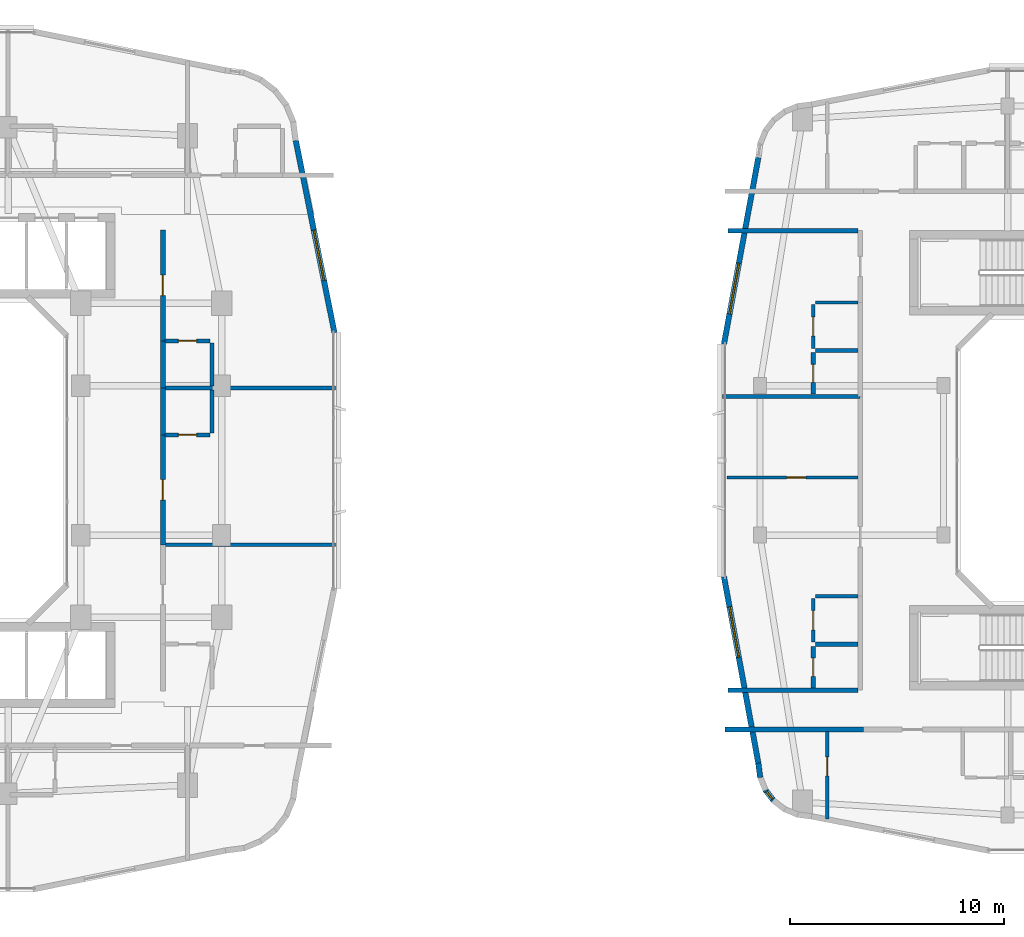
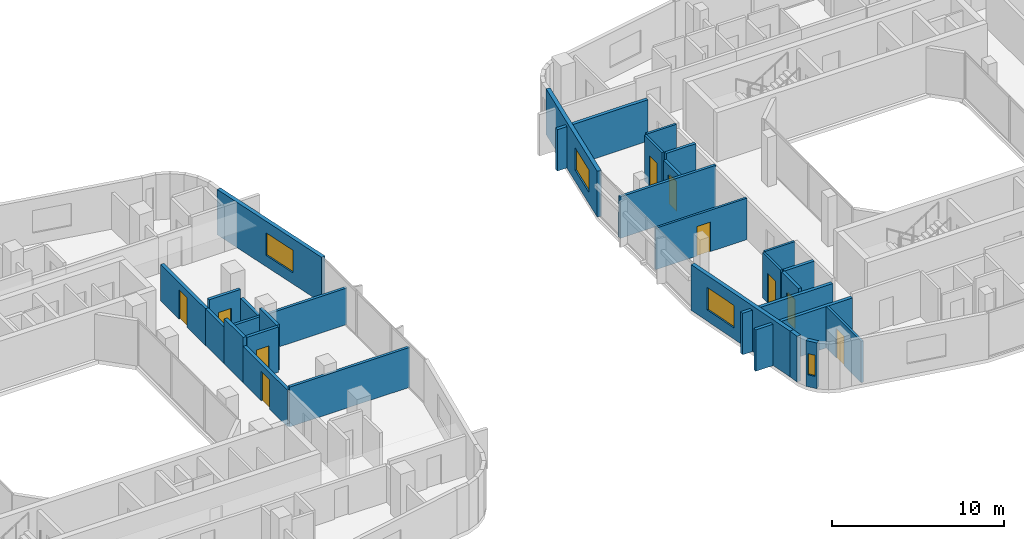
# One storey, part 15 of 26: 29 walls, 10 doors, 4 windows, 14 openings.
"""IFC4 building model written with IfcOpenShell, lengths in metres."""

from ifc_helpers import new_model, si_unit, derived_unit, direction, frame, frame_2d, origin, place, context, subcontext, project, spatial, rectangle, extrude, material, layer, layer_set, type_object, element, fill, save


model = new_model("IFC4")

# Units and contexts
model_context = context("Model", 3, precision=1e-05, world=origin(), true_north=direction((0.0, 1.0)))
body_context = subcontext(model_context, "Body", "Model", "MODEL_VIEW")
ifc_project = project(units=[si_unit("LENGTHUNIT", "METRE"), si_unit("AREAUNIT", "SQUARE_METRE"), si_unit("VOLUMEUNIT", "CUBIC_METRE"), si_unit("PLANEANGLEUNIT", "RADIAN"), si_unit("MASSUNIT", "GRAM", prefix="KILO"), derived_unit("THERMALTRANSMITTANCEUNIT", [(si_unit("POWERUNIT", "WATT"), 1), (si_unit("LENGTHUNIT", "METRE"), -2), (si_unit("THERMODYNAMICTEMPERATUREUNIT", "KELVIN"), -1)])], contexts=[model_context])

# Site, building, storey
site_placement = place(None, origin())
site = spatial("IfcSite", under=ifc_project, at=site_placement, CompositionType="ELEMENT")
building_placement = place(site_placement, origin())
building = spatial("IfcBuilding", under=site, at=building_placement, Name="Kivonza Crest Hotel", CompositionType="ELEMENT")
storey_placement = place(building_placement, frame((0.0, 0.0, 98.5)))
storey = spatial("IfcBuildingStorey", under=building, at=storey_placement, Name="L26", CompositionType="ELEMENT", Elevation=98.5)

# Walls
ifc_material_1 = material(Name="High-density acoustic masonry inter-tenancy wall", Category="masonry")
ifc_layer_1 = layer(ifc_material_1, 0.179931640625)
ifc_layer_set_1 = layer_set([ifc_layer_1], Name="High-density acoustic masonry inter-tenancy wall")
wall_type_1 = type_object("IfcWallType", Name="WL-ACOU-180", PredefinedType="SOLIDWALL", material=ifc_layer_set_1)
wall_1_placement = place(storey_placement, frame((33.050048828125, 21.049072265625, 0.0), z_axis=(0.0, 0.0, 1.0), x_axis=(1.0, 0.0, 0.0)))
element("IfcWall", 1, at=wall_1_placement, inside=storey, type_object=wall_type_1, Name="L26 interior partition WA-L26-T1E-DIV1", PredefinedType="SOLIDWALL", context=body_context, shape_type="SweptSolid", body=[
    extrude(rectangle(XDim=8.08984375, YDim=0.179931640625, at=frame_2d((4.044921875, 0.0))), origin(), (0.0, 0.0, 1.0), 2.8349609375),
])
wall_2_placement = place(storey_placement, frame((33.050048828125, 28.39306640625, 0.0), z_axis=(0.0, 0.0, 1.0), x_axis=(1.0, 0.0, 0.0)))
element("IfcWall", 2, at=wall_2_placement, inside=storey, type_object=wall_type_1, Name="L26 interior partition WA-L26-T1E-DIV2", PredefinedType="SOLIDWALL", context=body_context, shape_type="SweptSolid", body=[
    extrude(rectangle(XDim=8.08984375, YDim=0.179931640625, at=frame_2d((4.044921875, 0.0))), origin(), (0.0, 0.0, 1.0), 2.594970703125),
])
wall_3_placement = place(storey_placement, frame((59.260009765625, 28.0, 0.0), z_axis=(0.0, 0.0, 1.0), x_axis=(1.0, 0.0, 0.0)))
element("IfcWall", 3, at=wall_3_placement, inside=storey, type_object=wall_type_1, Name="L26 interior partition WA-L26-T2W-DIV1", PredefinedType="SOLIDWALL", context=body_context, shape_type="SweptSolid", body=[
    extrude(rectangle(XDim=6.43994140625, YDim=0.179931640625, at=frame_2d((3.219970703125, 0.0))), origin(), (0.0, 0.0, 1.0), 2.945068359375),
])
ifc_material_2 = material(Name="Autoclaved aerated concrete blockwork", Category="masonry")
ifc_layer_2 = layer(ifc_material_2, 0.219970703125)
ifc_layer_set_2 = layer_set([ifc_layer_2], Name="Autoclaved aerated concrete blockwork")
wall_type_2 = type_object("IfcWallType", Name="WL-ACOU-220", PredefinedType="SOLIDWALL", material=ifc_layer_set_2)
wall_4_placement = place(storey_placement, frame((33.050048828125, 26.193115234375, 0.0), z_axis=(0.0, 0.0, 1.0), x_axis=(0.0, 1.0, 0.0)))
element("IfcWall", 4, at=wall_4_placement, inside=storey, type_object=wall_type_2, Name="L26 interior partition WA-L26-E11-BCORR", PredefinedType="SOLIDWALL", context=body_context, shape_type="SweptSolid", body=[
    extrude(rectangle(XDim=2.199951171875, YDim=0.219970703125, at=frame_2d((1.10009765625, 0.0))), origin(), (0.0, 0.0, 1.0), 3.219970703125),
])

# Wall, opening, door
wall_5_placement = place(storey_placement, frame((33.050048828125, 21.049072265625, 0.0), z_axis=(0.0, 0.0, 1.0), x_axis=(0.0, 1.0, 0.0)))
wall_5 = element("IfcWall", 5, at=wall_5_placement, inside=storey, type_object=wall_type_2, Name="L26 interior partition WA-L26-E11-MCORR", PredefinedType="SOLIDWALL", context=body_context, shape_type="SweptSolid", body=[
    extrude(rectangle(XDim=5.14404296875, YDim=0.219970703125, at=frame_2d((2.572021484375, 0.0))), origin(), (0.0, 0.0, 1.0), 2.594970703125),
])
opening_1_placement = place(wall_5_placement, frame((2.096923828125, 0.0, 0.0)))
opening_1 = element("IfcOpeningElement", 6, at=opening_1_placement, cuts=wall_5, Name="Opening DU-60", PredefinedType="OPENING", context=body_context, shape_type="SweptSolid", body=[
    extrude(rectangle(XDim=0.949951171875, YDim=2.10009765625, at=frame_2d((0.47509765625, 1.050048828125))), frame((0.0, 0.1201171875, 0.0), z_axis=(0.0, -1.0, 0.0), x_axis=(1.0, 0.0, 0.0)), (0.0, 0.0, 1.0), 0.239990234375),
])
ifc_material_3 = material(Name="Hardwood timber oak", Category="wood")
door_type_1 = type_object("IfcDoorType", Name="DR-UNIT-950", OperationType="NOTDEFINED", PredefinedType="DOOR", material=ifc_material_3)
door_1_placement = place(opening_1_placement, frame((0.949951171875, 0.0, 0.0), z_axis=(0.0, 0.0, 1.0), x_axis=(-1.0, 0.0, 0.0)))
door_1 = element("IfcDoor", 7, at=door_1_placement, inside=storey, type_object=door_type_1, Name="L26 E11 guest unit entrance fire door", OperationType="SINGLE_SWING_LEFT", OverallHeight=2.10009765625, OverallWidth=0.949951171875, PredefinedType="DOOR", context=body_context, shape_type="SweptSolid", body=[
    extrude(rectangle(XDim=0.949951171875, YDim=2.10009765625, at=frame_2d((0.47509765625, 1.050048828125))), frame((0.0, 0.02490234375, 0.0), z_axis=(0.0, -1.0, 0.0), x_axis=(1.0, 0.0, 0.0)), (0.0, 0.0, 1.0), 0.050048828125),
])
fill(opening_1, door_1)

# Wall
wall_6_placement = place(storey_placement, frame((33.050048828125, 28.39306640625, 0.0), z_axis=(0.0, 0.0, 1.0), x_axis=(0.0, 1.0, 0.0)))
element("IfcWall", 8, at=wall_6_placement, inside=storey, type_object=wall_type_2, Name="L26 interior partition WA-L26-E12-BCORR", PredefinedType="SOLIDWALL", context=body_context, shape_type="SweptSolid", body=[
    extrude(rectangle(XDim=2.199951171875, YDim=0.219970703125, at=frame_2d((1.10009765625, 0.0))), origin(), (0.0, 0.0, 1.0), 2.594970703125),
])

# Wall, opening, door
wall_7_placement = place(storey_placement, frame((33.050048828125, 30.593017578125, 0.0), z_axis=(0.0, 0.0, 1.0), x_axis=(0.0, 1.0, 0.0)))
wall_7 = element("IfcWall", 9, at=wall_7_placement, inside=storey, type_object=wall_type_2, Name="L26 interior partition WA-L26-E12-MCORR", PredefinedType="SOLIDWALL", context=body_context, shape_type="SweptSolid", body=[
    extrude(rectangle(XDim=5.20703125, YDim=0.219970703125, at=frame_2d((2.603515625, 0.0))), origin(), (0.0, 0.0, 1.0), 2.594970703125),
])
opening_2_placement = place(wall_7_placement, frame((2.1279296875, 0.0, 0.0)))
opening_2 = element("IfcOpeningElement", 10, at=opening_2_placement, cuts=wall_7, Name="Opening DU-60", PredefinedType="OPENING", context=body_context, shape_type="SweptSolid", body=[
    extrude(rectangle(XDim=0.949951171875, YDim=2.10009765625, at=frame_2d((0.47509765625, 1.050048828125))), frame((0.0, 0.1201171875, 0.0), z_axis=(0.0, -1.0, 0.0), x_axis=(1.0, 0.0, 0.0)), (0.0, 0.0, 1.0), 0.239990234375),
])
door_2_placement = place(opening_2_placement, frame((0.949951171875, 0.0, 0.0), z_axis=(0.0, 0.0, 1.0), x_axis=(-1.0, 0.0, 0.0)))
door_2 = element("IfcDoor", 11, at=door_2_placement, inside=storey, type_object=door_type_1, Name="L26 E12 guest unit entrance fire door", OperationType="SINGLE_SWING_RIGHT", OverallHeight=2.10009765625, OverallWidth=0.949951171875, PredefinedType="DOOR", context=body_context, shape_type="SweptSolid", body=[
    extrude(rectangle(XDim=0.949951171875, YDim=2.10009765625, at=frame_2d((0.47509765625, 1.050048828125))), frame((0.0, 0.02490234375, 0.0), z_axis=(0.0, -1.0, 0.0), x_axis=(1.0, 0.0, 0.0)), (0.0, 0.0, 1.0), 0.050048828125),
])
fill(opening_2, door_2)

# Walls
wall_8_placement = place(storey_placement, frame((59.360107421875, 12.39990234375, 0.0), z_axis=(0.0, 0.0, 1.0), x_axis=(1.0, 0.0, 0.0)))
element("IfcWall", 12, at=wall_8_placement, inside=storey, type_object=wall_type_2, Name="L26 interior partition WA-L26-A04-LCORR", PredefinedType="SOLIDWALL", context=body_context, shape_type="SweptSolid", body=[
    extrude(rectangle(XDim=6.489990234375, YDim=0.219970703125, at=frame_2d((3.2451171875, 0.0))), origin(), (0.0, 0.0, 1.0), 2.945068359375),
])
for number, where, z_axis, x_axis, name in (
    (13, (59.52001953125, 14.239990234375, 0.0), (0.0, 0.0, 1.0), (1.0, 0.0, 0.0), "L26 interior partition WA-L26-T2W-ENDS"),
    (14, (59.52001953125, 35.760009765625, 0.0), (0.0, 0.0, 1.0), (1.0, 0.0, 0.0), "L26 interior partition WA-L26-T2W-ENDN"),
):
    element("IfcWall", number, at=place(storey_placement, frame(where, z_axis=z_axis, x_axis=x_axis)), inside=storey, type_object=wall_type_2, Name=name, PredefinedType="SOLIDWALL", context=body_context, shape_type="SweptSolid", body=[
        extrude(rectangle(XDim=6.080078125, YDim=0.219970703125, at=frame_2d((3.0400390625, 0.0))), origin(), (0.0, 0.0, 1.0), 2.945068359375),
    ])

# Wall, opening, window
ifc_material_4 = material(Name="Precast concrete C40/50", Category="concrete")
ifc_layer_3 = layer(ifc_material_4, 0.260009765625)
ifc_layer_set_3 = layer_set([ifc_layer_3], Name="Precast concrete C40/50")
wall_type_3 = type_object("IfcWallType", Name="WL-EXT-260", PredefinedType="STANDARD", material=ifc_layer_set_3)
wall_9_placement = place(storey_placement, frame((41.083984375, 30.97998046875, 0.0), z_axis=(0.0, 0.0, 1.0), x_axis=(-0.197435082048, 0.980315963543, 0.0)))
wall_9 = element("IfcWall", 15, at=wall_9_placement, inside=storey, type_object=wall_type_3, Name="L26 T1 exterior insulated wall 18", PredefinedType="STANDARD", context=body_context, shape_type="SweptSolid", body=[
    extrude(rectangle(XDim=9.1826171875, YDim=0.260009765625, at=frame_2d((4.59130859375, 0.0))), origin(), (0.0, 0.0, 1.0), 3.219970703125),
])
opening_3_placement = place(wall_9_placement, frame((2.4970703125, 0.0, 0.800048828125)))
opening_3 = element("IfcOpeningElement", 16, at=opening_3_placement, cuts=wall_9, Name="Opening WN-05", PredefinedType="OPENING", context=body_context, shape_type="SweptSolid", body=[
    extrude(rectangle(XDim=2.39990234375, YDim=1.60009765625, at=frame_2d((1.199951171875, 0.800048828125))), frame((0.0, 0.14013671875, 0.0), z_axis=(0.0, -1.0, 0.0), x_axis=(1.0, 0.0, 0.0)), (0.0, 0.0, 1.0), 0.280029296875),
])
ifc_material_5 = material(Name="Thermally broken bronze aluminium and low-E double glazing", Category="aluminium")
window_type_1 = type_object("IfcWindowType", Name="WN-240x160", PartitioningType="TRIPLE_PANEL_VERTICAL", PredefinedType="WINDOW", material=ifc_material_5)
window_1_placement = place(opening_3_placement, origin())
window_1 = element("IfcWindow", 17, at=window_1_placement, inside=storey, type_object=window_type_1, Name="L26 T1 facade window 18", OverallHeight=1.60009765625, OverallWidth=2.39990234375, PartitioningType="SINGLE_PANEL", PredefinedType="WINDOW", context=body_context, shape_type="SweptSolid", body=[
    extrude(rectangle(XDim=2.39990234375, YDim=1.60009765625, at=frame_2d((1.199951171875, 0.800048828125))), frame((0.0, 0.030029296875, 0.0), z_axis=(0.0, -1.0, 0.0), x_axis=(1.0, 0.0, 0.0)), (0.0, 0.0, 1.0), 0.06005859375),
])
fill(opening_3, window_1)

# Wall
wall_10_placement = place(storey_placement, frame((60.927978515625, 10.824951171875, 0.0), z_axis=(0.0, 0.0, 1.0), x_axis=(0.131667498923, -0.991293937098, 0.0)))
element("IfcWall", 18, at=wall_10_placement, inside=storey, type_object=wall_type_3, Name="L26 T2 exterior insulated wall 1", PredefinedType="STANDARD", context=body_context, shape_type="SweptSolid", body=[
    extrude(rectangle(XDim=0.6767578125, YDim=0.260009765625, at=frame_2d((0.33837890625, 0.0))), origin(), (0.0, 0.0, 1.0), 3.25),
])

# Wall, opening, window
wall_11_placement = place(storey_placement, frame((61.236083984375, 9.59912109375, 0.0), z_axis=(0.0, 0.0, 1.0), x_axis=(0.609472651958, -0.792807092876, 0.0)))
wall_11 = element("IfcWall", 19, at=wall_11_placement, inside=storey, type_object=wall_type_3, Name="L26 T2 exterior insulated wall 3", PredefinedType="STANDARD", context=body_context, shape_type="SweptSolid", body=[
    extrude(rectangle(XDim=0.69384765625, YDim=0.260009765625, at=frame_2d((0.346923828125, 0.0))), origin(), (0.0, 0.0, 1.0), 3.25),
])
opening_4_placement = place(wall_11_placement, frame((0.1220703125, 0.0, 0.85009765625)))
opening_4 = element("IfcOpeningElement", 20, at=opening_4_placement, cuts=wall_11, Name="Opening WN-11", PredefinedType="OPENING", context=body_context, shape_type="SweptSolid", body=[
    extrude(rectangle(XDim=0.449951171875, YDim=1.5, at=frame_2d((0.22509765625, 0.75))), frame((0.0, 0.14013671875, 0.0), z_axis=(0.0, -1.0, 0.0), x_axis=(1.0, 0.0, 0.0)), (0.0, 0.0, 1.0), 0.280029296875),
])
window_type_2 = type_object("IfcWindowType", Name="WN-045x150", PartitioningType="SINGLE_PANEL", PredefinedType="WINDOW", material=ifc_material_5)
window_2_placement = place(opening_4_placement, origin())
window_2 = element("IfcWindow", 21, at=window_2_placement, inside=storey, type_object=window_type_2, Name="L26 corner vision window 5", OverallHeight=1.5, OverallWidth=0.449951171875, PartitioningType="SINGLE_PANEL", PredefinedType="WINDOW", context=body_context, shape_type="SweptSolid", body=[
    extrude(rectangle(XDim=0.449951171875, YDim=1.5, at=frame_2d((0.22509765625, 0.75))), frame((0.0, 0.030029296875, 0.0), z_axis=(0.0, -1.0, 0.0), x_axis=(1.0, 0.0, 0.0)), (0.0, 0.0, 1.0), 0.06005859375),
])
fill(opening_4, window_2)

wall_12_placement = place(storey_placement, frame((60.928955078125, 39.18408203125, 0.0), z_axis=(0.0, 0.0, 1.0), x_axis=(-0.181209963057, -0.983444431215, 0.0)))
wall_12 = element("IfcWall", 22, at=wall_12_placement, inside=storey, type_object=wall_type_3, Name="L26 T2 exterior insulated wall 34", PredefinedType="STANDARD", context=body_context, shape_type="SweptSolid", body=[
    extrude(rectangle(XDim=8.889404296875, YDim=0.260009765625, at=frame_2d((4.44482421875, 0.0))), origin(), (0.0, 0.0, 1.0), 3.25),
])
opening_5_placement = place(wall_12_placement, frame((5.044921875, 0.0, 0.800048828125)))
opening_5 = element("IfcOpeningElement", 23, at=opening_5_placement, cuts=wall_12, Name="Opening WN-05", PredefinedType="OPENING", context=body_context, shape_type="SweptSolid", body=[
    extrude(rectangle(XDim=2.39990234375, YDim=1.60009765625, at=frame_2d((1.199951171875, 0.800048828125))), frame((0.0, 0.14013671875, 0.0), z_axis=(0.0, -1.0, 0.0), x_axis=(1.0, 0.0, 0.0)), (0.0, 0.0, 1.0), 0.280029296875),
])
window_3_placement = place(opening_5_placement, origin())
window_3 = element("IfcWindow", 24, at=window_3_placement, inside=storey, type_object=window_type_1, Name="L26 T2 facade window 34", OverallHeight=1.60009765625, OverallWidth=2.39990234375, PartitioningType="SINGLE_PANEL", PredefinedType="WINDOW", context=body_context, shape_type="SweptSolid", body=[
    extrude(rectangle(XDim=2.39990234375, YDim=1.60009765625, at=frame_2d((1.199951171875, 0.800048828125))), frame((0.0, 0.030029296875, 0.0), z_axis=(0.0, -1.0, 0.0), x_axis=(1.0, 0.0, 0.0)), (0.0, 0.0, 1.0), 0.06005859375),
])
fill(opening_5, window_3)

wall_13_placement = place(storey_placement, frame((59.318115234375, 19.55810546875, 0.0), z_axis=(0.0, 0.0, 1.0), x_axis=(0.181209963057, -0.983444431215, 0.0)))
wall_13 = element("IfcWall", 25, at=wall_13_placement, inside=storey, type_object=wall_type_3, Name="L26 T2 exterior insulated wall 36", PredefinedType="STANDARD", context=body_context, shape_type="SweptSolid", body=[
    extrude(rectangle(XDim=8.889404296875, YDim=0.260009765625, at=frame_2d((4.44482421875, 0.0))), origin(), (0.0, 0.0, 1.0), 3.25),
])
opening_6_placement = place(wall_13_placement, frame((1.444091796875, 0.0, 0.800048828125)))
opening_6 = element("IfcOpeningElement", 26, at=opening_6_placement, cuts=wall_13, Name="Opening WN-05", PredefinedType="OPENING", context=body_context, shape_type="SweptSolid", body=[
    extrude(rectangle(XDim=2.39990234375, YDim=1.60009765625, at=frame_2d((1.199951171875, 0.800048828125))), frame((0.0, 0.14013671875, 0.0), z_axis=(0.0, -1.0, 0.0), x_axis=(1.0, 0.0, 0.0)), (0.0, 0.0, 1.0), 0.280029296875),
])
window_4_placement = place(opening_6_placement, origin())
window_4 = element("IfcWindow", 27, at=window_4_placement, inside=storey, type_object=window_type_1, Name="L26 T2 facade window 36", OverallHeight=1.60009765625, OverallWidth=2.39990234375, PartitioningType="SINGLE_PANEL", PredefinedType="WINDOW", context=body_context, shape_type="SweptSolid", body=[
    extrude(rectangle(XDim=2.39990234375, YDim=1.60009765625, at=frame_2d((1.199951171875, 0.800048828125))), frame((0.0, 0.030029296875, 0.0), z_axis=(0.0, -1.0, 0.0), x_axis=(1.0, 0.0, 0.0)), (0.0, 0.0, 1.0), 0.06005859375),
])
fill(opening_6, window_4)

# Wall, opening, door
ifc_material_6 = material(Name="Twin-stud acoustic gypsum board partition", Category="gypsum")
ifc_layer_4 = layer(ifc_material_6, 0.14990234375)
ifc_layer_set_4 = layer_set([ifc_layer_4], Name="Twin-stud acoustic gypsum board partition")
wall_type_4 = type_object("IfcWallType", Name="WL-PART-150", PredefinedType="PARTITIONING", material=ifc_layer_set_4)
wall_14_placement = place(storey_placement, frame((64.159912109375, 8.214111328125, 0.0), z_axis=(0.0, 0.0, 1.0), x_axis=(0.0, 1.0, 0.0)))
wall_14 = element("IfcWall", 28, at=wall_14_placement, inside=storey, type_object=wall_type_4, Name="L26 interior partition WP-L26-A04-BDW1", PredefinedType="PARTITIONING", context=body_context, shape_type="SweptSolid", body=[
    extrude(rectangle(XDim=4.0859375, YDim=0.14990234375, at=frame_2d((2.04296875, 0.0))), origin(), (0.0, 0.0, 1.0), 2.945068359375),
])
opening_7_placement = place(wall_14_placement, frame((2.010009765625, 0.0, 0.0)))
opening_7 = element("IfcOpeningElement", 29, at=opening_7_placement, cuts=wall_14, Name="Opening DI-90", PredefinedType="OPENING", context=body_context, shape_type="SweptSolid", body=[
    extrude(rectangle(XDim=0.89990234375, YDim=2.10009765625, at=frame_2d((0.449951171875, 1.050048828125))), frame((0.0, 0.0849609375, 0.0), z_axis=(0.0, -1.0, 0.0), x_axis=(1.0, 0.0, 0.0)), (0.0, 0.0, 1.0), 0.169921875),
])
door_type_2 = type_object("IfcDoorType", Name="DR-INT-900", OperationType="NOTDEFINED", PredefinedType="DOOR", material=ifc_material_3)
door_3_placement = place(opening_7_placement, origin())
door_3 = element("IfcDoor", 30, at=door_3_placement, inside=storey, type_object=door_type_2, Name="L26 A04 bedroom 1 door", OperationType="SINGLE_SWING_LEFT", OverallHeight=2.10009765625, OverallWidth=0.89990234375, PredefinedType="DOOR", context=body_context, shape_type="SweptSolid", body=[
    extrude(rectangle(XDim=0.89990234375, YDim=2.10009765625, at=frame_2d((0.449951171875, 1.050048828125))), frame((0.0, 0.02490234375, 0.0), z_axis=(0.0, -1.0, 0.0), x_axis=(1.0, 0.0, 0.0)), (0.0, 0.0, 1.0), 0.050048828125),
])
fill(opening_7, door_3)

wall_15_placement = place(storey_placement, frame((59.4599609375, 24.199951171875, 0.0), z_axis=(0.0, 0.0, 1.0), x_axis=(1.0, 0.0, 0.0)))
wall_15 = element("IfcWall", 31, at=wall_15_placement, inside=storey, type_object=wall_type_4, Name="L26 interior partition WP-L26-A06-BD1", PredefinedType="PARTITIONING", context=body_context, shape_type="SweptSolid", body=[
    extrude(rectangle(XDim=6.14013671875, YDim=0.14990234375, at=frame_2d((3.070068359375, 0.0))), origin(), (0.0, 0.0, 1.0), 2.945068359375),
])
opening_8_placement = place(wall_15_placement, frame((2.7900390625, 0.0, 0.0)))
opening_8 = element("IfcOpeningElement", 32, at=opening_8_placement, cuts=wall_15, Name="Opening DI-90", PredefinedType="OPENING", context=body_context, shape_type="SweptSolid", body=[
    extrude(rectangle(XDim=0.89990234375, YDim=2.10009765625, at=frame_2d((0.449951171875, 1.050048828125))), frame((0.0, 0.0849609375, 0.0), z_axis=(0.0, -1.0, 0.0), x_axis=(1.0, 0.0, 0.0)), (0.0, 0.0, 1.0), 0.169921875),
])
door_4_placement = place(opening_8_placement, origin())
door_4 = element("IfcDoor", 33, at=door_4_placement, inside=storey, type_object=door_type_2, Name="L26 A06 bedroom door", OperationType="SINGLE_SWING_LEFT", OverallHeight=2.10009765625, OverallWidth=0.89990234375, PredefinedType="DOOR", context=body_context, shape_type="SweptSolid", body=[
    extrude(rectangle(XDim=0.89990234375, YDim=2.10009765625, at=frame_2d((0.449951171875, 1.050048828125))), frame((0.0, 0.02490234375, 0.0), z_axis=(0.0, -1.0, 0.0), x_axis=(1.0, 0.0, 0.0)), (0.0, 0.0, 1.0), 0.050048828125),
])
fill(opening_8, door_4)

# Wall
wall_16_placement = place(storey_placement, frame((63.60009765625, 18.639892578125, 0.0), z_axis=(0.0, 0.0, 1.0), x_axis=(1.0, 0.0, 0.0)))
element("IfcWall", 34, at=wall_16_placement, inside=storey, type_object=wall_type_4, Name="L26 interior partition WP-L26-A06-KF", PredefinedType="PARTITIONING", context=body_context, shape_type="SweptSolid", body=[
    extrude(rectangle(XDim=2.0, YDim=0.14990234375, at=frame_2d((1.0, 0.0))), origin(), (0.0, 0.0, 1.0), 3.219970703125),
])

# Wall, opening, door
wall_17_placement = place(storey_placement, frame((63.5, 16.489990234375, 0.0), z_axis=(0.0, 0.0, 1.0), x_axis=(0.0, 1.0, 0.0)))
wall_17 = element("IfcWall", 35, at=wall_17_placement, inside=storey, type_object=wall_type_4, Name="L26 interior partition WP-L26-A06-KSVC", PredefinedType="PARTITIONING", context=body_context, shape_type="SweptSolid", body=[
    extrude(rectangle(XDim=2.050048828125, YDim=0.14990234375, at=frame_2d((1.02490234375, 0.0))), origin(), (0.0, 0.0, 1.0), 3.219970703125),
])
opening_9_placement = place(wall_17_placement, frame((0.574951171875, 0.0, 0.0)))
opening_9 = element("IfcOpeningElement", 36, at=opening_9_placement, cuts=wall_17, Name="Opening DI-90", PredefinedType="OPENING", context=body_context, shape_type="SweptSolid", body=[
    extrude(rectangle(XDim=0.89990234375, YDim=2.10009765625, at=frame_2d((0.449951171875, 1.050048828125))), frame((0.0, 0.0849609375, 0.0), z_axis=(0.0, -1.0, 0.0), x_axis=(1.0, 0.0, 0.0)), (0.0, 0.0, 1.0), 0.169921875),
])
door_5_placement = place(opening_9_placement, origin())
door_5 = element("IfcDoor", 37, at=door_5_placement, inside=storey, type_object=door_type_2, Name="L26 A06 apartment kitchen door", OperationType="SINGLE_SWING_RIGHT", OverallHeight=2.10009765625, OverallWidth=0.89990234375, PredefinedType="DOOR", context=body_context, shape_type="SweptSolid", body=[
    extrude(rectangle(XDim=0.89990234375, YDim=2.10009765625, at=frame_2d((0.449951171875, 1.050048828125))), frame((0.0, 0.02490234375, 0.0), z_axis=(0.0, -1.0, 0.0), x_axis=(1.0, 0.0, 0.0)), (0.0, 0.0, 1.0), 0.050048828125),
])
fill(opening_9, door_5)

# Wall
wall_18_placement = place(storey_placement, frame((63.60009765625, 32.39990234375, 0.0), z_axis=(0.0, 0.0, 1.0), x_axis=(1.0, 0.0, 0.0)))
element("IfcWall", 38, at=wall_18_placement, inside=storey, type_object=wall_type_4, Name="L26 interior partition WP-L26-A07-KF", PredefinedType="PARTITIONING", context=body_context, shape_type="SweptSolid", body=[
    extrude(rectangle(XDim=2.0, YDim=0.14990234375, at=frame_2d((1.0, 0.0))), origin(), (0.0, 0.0, 1.0), 3.219970703125),
])

# Wall, opening, door
wall_19_placement = place(storey_placement, frame((63.5, 30.25, 0.0), z_axis=(0.0, 0.0, 1.0), x_axis=(0.0, 1.0, 0.0)))
wall_19 = element("IfcWall", 39, at=wall_19_placement, inside=storey, type_object=wall_type_4, Name="L26 interior partition WP-L26-A07-KSVC", PredefinedType="PARTITIONING", context=body_context, shape_type="SweptSolid", body=[
    extrude(rectangle(XDim=2.050048828125, YDim=0.14990234375, at=frame_2d((1.02490234375, 0.0))), origin(), (0.0, 0.0, 1.0), 3.219970703125),
])
opening_10_placement = place(wall_19_placement, frame((0.574951171875, 0.0, 0.0)))
opening_10 = element("IfcOpeningElement", 40, at=opening_10_placement, cuts=wall_19, Name="Opening DI-90", PredefinedType="OPENING", context=body_context, shape_type="SweptSolid", body=[
    extrude(rectangle(XDim=0.89990234375, YDim=2.10009765625, at=frame_2d((0.449951171875, 1.050048828125))), frame((0.0, 0.0849609375, 0.0), z_axis=(0.0, -1.0, 0.0), x_axis=(1.0, 0.0, 0.0)), (0.0, 0.0, 1.0), 0.169921875),
])
door_6_placement = place(opening_10_placement, origin())
door_6 = element("IfcDoor", 41, at=door_6_placement, inside=storey, type_object=door_type_2, Name="L26 A07 apartment kitchen door", OperationType="SINGLE_SWING_LEFT", OverallHeight=2.10009765625, OverallWidth=0.89990234375, PredefinedType="DOOR", context=body_context, shape_type="SweptSolid", body=[
    extrude(rectangle(XDim=0.89990234375, YDim=2.10009765625, at=frame_2d((0.449951171875, 1.050048828125))), frame((0.0, 0.02490234375, 0.0), z_axis=(0.0, -1.0, 0.0), x_axis=(1.0, 0.0, 0.0)), (0.0, 0.0, 1.0), 0.050048828125),
])
fill(opening_10, door_6)

ifc_material_7 = material(Name="Moisture-resistant plumbing chase partition wall", Category="gypsum")
ifc_layer_5 = layer(ifc_material_7, 0.199951171875)
ifc_layer_set_5 = layer_set([ifc_layer_5], Name="Moisture-resistant plumbing chase partition wall")
wall_type_5 = type_object("IfcWallType", Name="WL-PLUMB-200", PredefinedType="PLUMBINGWALL", material=ifc_layer_set_5)
wall_20_placement = place(storey_placement, frame((33.14990234375, 26.193115234375, 0.0), z_axis=(0.0, 0.0, 1.0), x_axis=(1.0, 0.0, 0.0)))
wall_20 = element("IfcWall", 42, at=wall_20_placement, inside=storey, type_object=wall_type_5, Name="L26 interior partition WW-L26-E11-BH", PredefinedType="PLUMBINGWALL", context=body_context, shape_type="SweptSolid", body=[
    extrude(rectangle(XDim=2.10009765625, YDim=0.199951171875, at=frame_2d((1.050048828125, 0.0))), origin(), (0.0, 0.0, 1.0), 3.219970703125),
])
opening_11_placement = place(wall_20_placement, frame((0.625, 0.0, 0.0)))
opening_11 = element("IfcOpeningElement", 43, at=opening_11_placement, cuts=wall_20, Name="Opening DI-85", PredefinedType="OPENING", context=body_context, shape_type="SweptSolid", body=[
    extrude(rectangle(XDim=0.85009765625, YDim=2.10009765625, at=frame_2d((0.425048828125, 1.050048828125))), frame((0.0, 0.10986328125, 0.0), z_axis=(0.0, -1.0, 0.0), x_axis=(1.0, 0.0, 0.0)), (0.0, 0.0, 1.0), 0.219970703125),
])
door_type_3 = type_object("IfcDoorType", Name="DR-INT-850", OperationType="NOTDEFINED", PredefinedType="DOOR", material=ifc_material_3)
door_7_placement = place(opening_11_placement, frame((0.85009765625, 0.0, 0.0), z_axis=(0.0, 0.0, 1.0), x_axis=(-1.0, 0.0, 0.0)))
door_7 = element("IfcDoor", 44, at=door_7_placement, inside=storey, type_object=door_type_3, Name="L26 E11 en-suite bathroom door", OperationType="SINGLE_SWING_RIGHT", OverallHeight=2.10009765625, OverallWidth=0.85009765625, PredefinedType="DOOR", context=body_context, shape_type="SweptSolid", body=[
    extrude(rectangle(XDim=0.85009765625, YDim=2.10009765625, at=frame_2d((0.425048828125, 1.050048828125))), frame((0.0, 0.02490234375, 0.0), z_axis=(0.0, -1.0, 0.0), x_axis=(1.0, 0.0, 0.0)), (0.0, 0.0, 1.0), 0.050048828125),
])
fill(opening_11, door_7)

# Wall
wall_21_placement = place(storey_placement, frame((35.35009765625, 26.29296875, 0.0), z_axis=(0.0, 0.0, 1.0), x_axis=(0.0, 1.0, 0.0)))
element("IfcWall", 45, at=wall_21_placement, inside=storey, type_object=wall_type_5, Name="L26 interior partition WW-L26-E11-BV", PredefinedType="PLUMBINGWALL", context=body_context, shape_type="SweptSolid", body=[
    extrude(rectangle(XDim=2.0, YDim=0.199951171875, at=frame_2d((1.0, 0.0))), origin(), (0.0, 0.0, 1.0), 3.219970703125),
])

# Wall, opening, door
wall_22_placement = place(storey_placement, frame((33.14990234375, 30.593017578125, 0.0), z_axis=(0.0, 0.0, 1.0), x_axis=(1.0, 0.0, 0.0)))
wall_22 = element("IfcWall", 46, at=wall_22_placement, inside=storey, type_object=wall_type_5, Name="L26 interior partition WW-L26-E12-BH", PredefinedType="PLUMBINGWALL", context=body_context, shape_type="SweptSolid", body=[
    extrude(rectangle(XDim=2.10009765625, YDim=0.199951171875, at=frame_2d((1.050048828125, 0.0))), origin(), (0.0, 0.0, 1.0), 3.219970703125),
])
opening_12_placement = place(wall_22_placement, frame((0.625, 0.0, 0.0)))
opening_12 = element("IfcOpeningElement", 47, at=opening_12_placement, cuts=wall_22, Name="Opening DI-85", PredefinedType="OPENING", context=body_context, shape_type="SweptSolid", body=[
    extrude(rectangle(XDim=0.85009765625, YDim=2.10009765625, at=frame_2d((0.425048828125, 1.050048828125))), frame((0.0, 0.10986328125, 0.0), z_axis=(0.0, -1.0, 0.0), x_axis=(1.0, 0.0, 0.0)), (0.0, 0.0, 1.0), 0.219970703125),
])
door_8_placement = place(opening_12_placement, origin())
door_8 = element("IfcDoor", 48, at=door_8_placement, inside=storey, type_object=door_type_3, Name="L26 E12 en-suite bathroom door", OperationType="SINGLE_SWING_LEFT", OverallHeight=2.10009765625, OverallWidth=0.85009765625, PredefinedType="DOOR", context=body_context, shape_type="SweptSolid", body=[
    extrude(rectangle(XDim=0.85009765625, YDim=2.10009765625, at=frame_2d((0.425048828125, 1.050048828125))), frame((0.0, 0.02490234375, 0.0), z_axis=(0.0, -1.0, 0.0), x_axis=(1.0, 0.0, 0.0)), (0.0, 0.0, 1.0), 0.050048828125),
])
fill(opening_12, door_8)

# Walls
wall_23_placement = place(storey_placement, frame((35.35009765625, 28.492919921875, 0.0), z_axis=(0.0, 0.0, 1.0), x_axis=(0.0, 1.0, 0.0)))
element("IfcWall", 49, at=wall_23_placement, inside=storey, type_object=wall_type_5, Name="L26 interior partition WW-L26-E12-BV", PredefinedType="PLUMBINGWALL", context=body_context, shape_type="SweptSolid", body=[
    extrude(rectangle(XDim=2.0, YDim=0.199951171875, at=frame_2d((1.0, 0.0))), origin(), (0.0, 0.0, 1.0), 2.594970703125),
])
wall_24_placement = place(storey_placement, frame((63.60009765625, 16.389892578125, 0.0), z_axis=(0.0, 0.0, 1.0), x_axis=(1.0, 0.0, 0.0)))
element("IfcWall", 50, at=wall_24_placement, inside=storey, type_object=wall_type_5, Name="L26 interior partition WW-L26-A06-BK", PredefinedType="PLUMBINGWALL", context=body_context, shape_type="SweptSolid", body=[
    extrude(rectangle(XDim=2.0, YDim=0.199951171875, at=frame_2d((1.0, 0.0))), origin(), (0.0, 0.0, 1.0), 3.219970703125),
])

# Wall, opening, door
wall_25_placement = place(storey_placement, frame((63.5, 14.340087890625, 0.0), z_axis=(0.0, 0.0, 1.0), x_axis=(0.0, 1.0, 0.0)))
wall_25 = element("IfcWall", 51, at=wall_25_placement, inside=storey, type_object=wall_type_5, Name="L26 interior partition WW-L26-A06-BSVC", PredefinedType="PLUMBINGWALL", context=body_context, shape_type="SweptSolid", body=[
    extrude(rectangle(XDim=1.949951171875, YDim=0.199951171875, at=frame_2d((0.97509765625, 0.0))), origin(), (0.0, 0.0, 1.0), 3.219970703125),
])
opening_13_placement = place(wall_25_placement, frame((0.550048828125, 0.0, 0.0)))
opening_13 = element("IfcOpeningElement", 52, at=opening_13_placement, cuts=wall_25, Name="Opening DI-85", PredefinedType="OPENING", context=body_context, shape_type="SweptSolid", body=[
    extrude(rectangle(XDim=0.85009765625, YDim=2.10009765625, at=frame_2d((0.425048828125, 1.050048828125))), frame((0.0, 0.10986328125, 0.0), z_axis=(0.0, -1.0, 0.0), x_axis=(1.0, 0.0, 0.0)), (0.0, 0.0, 1.0), 0.219970703125),
])
door_9_placement = place(opening_13_placement, origin())
door_9 = element("IfcDoor", 53, at=door_9_placement, inside=storey, type_object=door_type_3, Name="L26 A06 apartment bathroom door", OperationType="SINGLE_SWING_LEFT", OverallHeight=2.10009765625, OverallWidth=0.85009765625, PredefinedType="DOOR", context=body_context, shape_type="SweptSolid", body=[
    extrude(rectangle(XDim=0.85009765625, YDim=2.10009765625, at=frame_2d((0.425048828125, 1.050048828125))), frame((0.0, 0.02490234375, 0.0), z_axis=(0.0, -1.0, 0.0), x_axis=(1.0, 0.0, 0.0)), (0.0, 0.0, 1.0), 0.050048828125),
])
fill(opening_13, door_9)

# Wall
wall_26_placement = place(storey_placement, frame((63.60009765625, 30.14990234375, 0.0), z_axis=(0.0, 0.0, 1.0), x_axis=(1.0, 0.0, 0.0)))
element("IfcWall", 54, at=wall_26_placement, inside=storey, type_object=wall_type_5, Name="L26 interior partition WW-L26-A07-BK", PredefinedType="PLUMBINGWALL", context=body_context, shape_type="SweptSolid", body=[
    extrude(rectangle(XDim=2.0, YDim=0.199951171875, at=frame_2d((1.0, 0.0))), origin(), (0.0, 0.0, 1.0), 3.219970703125),
])

# Wall, opening, door
wall_27_placement = place(storey_placement, frame((63.5, 28.10009765625, 0.0), z_axis=(0.0, 0.0, 1.0), x_axis=(0.0, 1.0, 0.0)))
wall_27 = element("IfcWall", 55, at=wall_27_placement, inside=storey, type_object=wall_type_5, Name="L26 interior partition WW-L26-A07-BSVC", PredefinedType="PLUMBINGWALL", context=body_context, shape_type="SweptSolid", body=[
    extrude(rectangle(XDim=1.949951171875, YDim=0.199951171875, at=frame_2d((0.97509765625, 0.0))), origin(), (0.0, 0.0, 1.0), 2.824951171875),
])
opening_14_placement = place(wall_27_placement, frame((0.550048828125, 0.0, 0.0)))
opening_14 = element("IfcOpeningElement", 56, at=opening_14_placement, cuts=wall_27, Name="Opening DI-85", PredefinedType="OPENING", context=body_context, shape_type="SweptSolid", body=[
    extrude(rectangle(XDim=0.85009765625, YDim=2.10009765625, at=frame_2d((0.425048828125, 1.050048828125))), frame((0.0, 0.10986328125, 0.0), z_axis=(0.0, -1.0, 0.0), x_axis=(1.0, 0.0, 0.0)), (0.0, 0.0, 1.0), 0.219970703125),
])
door_10_placement = place(opening_14_placement, origin())
door_10 = element("IfcDoor", 57, at=door_10_placement, inside=storey, type_object=door_type_3, Name="L26 A07 apartment bathroom door", OperationType="SINGLE_SWING_RIGHT", OverallHeight=2.10009765625, OverallWidth=0.85009765625, PredefinedType="DOOR", context=body_context, shape_type="SweptSolid", body=[
    extrude(rectangle(XDim=0.85009765625, YDim=2.10009765625, at=frame_2d((0.425048828125, 1.050048828125))), frame((0.0, 0.02490234375, 0.0), z_axis=(0.0, -1.0, 0.0), x_axis=(1.0, 0.0, 0.0)), (0.0, 0.0, 1.0), 0.050048828125),
])
fill(opening_14, door_10)

save(model, "model.ifc")
